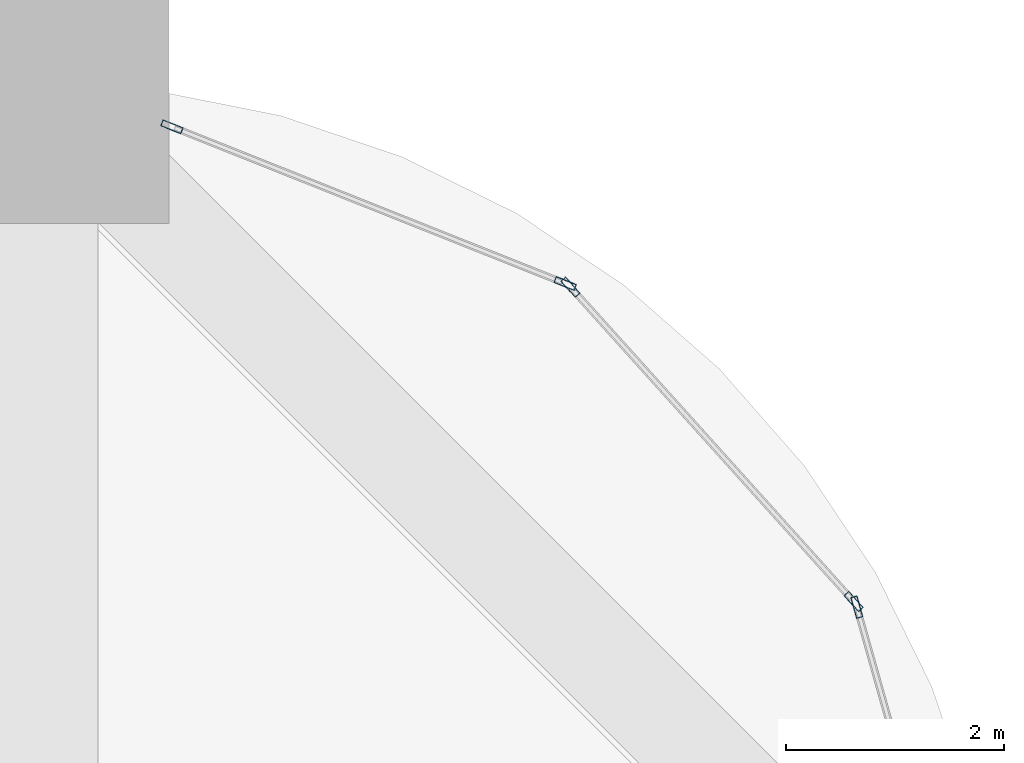
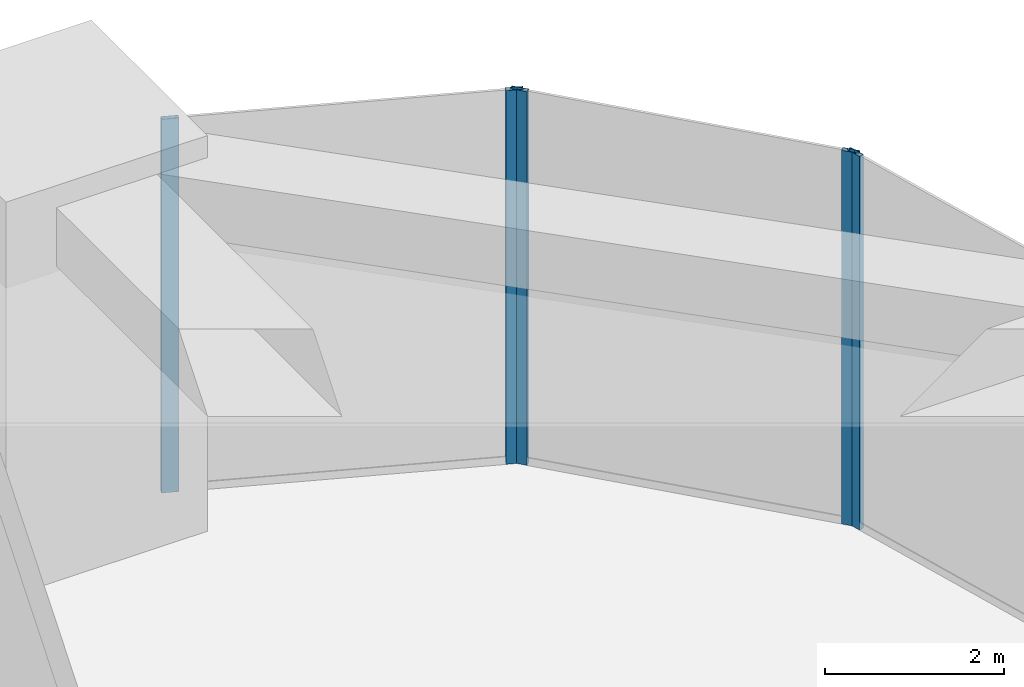
# One storey, part 39 of 45: 5 members, 3 elements without a shape of their own.
"""IFC4 building model written with IfcOpenShell, lengths in metres."""

from ifc_helpers import new_model, si_unit, direction, frame, origin, origin_2d, place, context, subcontext, project, spatial, hollow_rectangle, extrude, material, material_profile, profile_set, type_object, element, aggregate, save


model = new_model("IFC4")

# Units and contexts
model_context = context("Model", 3, precision=1e-05, world=origin(), true_north=direction((0.0, 1.0)))
body_context = subcontext(model_context, "Body", "Model", "MODEL_VIEW")
ifc_project = project(units=[si_unit("LENGTHUNIT", "METRE"), si_unit("AREAUNIT", "SQUARE_METRE"), si_unit("VOLUMEUNIT", "CUBIC_METRE"), si_unit("PLANEANGLEUNIT", "RADIAN"), si_unit("MASSUNIT", "GRAM", prefix="KILO")], contexts=[model_context])

# Site, building, storey
site_placement = place(None, origin())
site = spatial("IfcSite", under=ifc_project, at=site_placement, CompositionType="ELEMENT")
building_placement = place(site_placement, origin())
building = spatial("IfcBuilding", under=site, at=building_placement, Name="Zorevar Civic Tower", CompositionType="ELEMENT")
storey_placement = place(building_placement, frame((0.0, 0.0, 5.39990234375)))
storey = spatial("IfcBuildingStorey", under=building, at=storey_placement, Name="L01", CompositionType="ELEMENT", Elevation=5.39990234375)

# Curtain wall, member
ifc_material_1 = material(Name="Dark grey solar-control glass in black aluminium frame", Category="aluminium")
curtain_wall_type = type_object("IfcCurtainWallType", Name="Curtain wall CW1 podium", PredefinedType="NOTDEFINED", material=ifc_material_1)
curtain_wall_1_placement = place(storey_placement, origin())
curtain_wall_1 = element("IfcCurtainWall", 1, at=curtain_wall_1_placement, inside=storey, type_object=curtain_wall_type, Name="CW1 L01", PredefinedType="NOTDEFINED")
ifc_material_2 = material(Name="Aluminium, black anodised", Category="aluminium")
ifc_material_profile = material_profile(ifc_material_2, hollow_rectangle(XDim=0.06005859375, YDim=0.199951171875, WallThickness=0.00390625, at=origin_2d()), Name="AL 200x60x4")
ifc_profile_set = profile_set([ifc_material_profile], Name="Aluminium, black anodised")
member_type = type_object("IfcMemberType", Name="CW1 mullion AL 200x60x4", PredefinedType="MULLION", material=ifc_profile_set)
member_1_placement = place(storey_placement, frame((70.625244140625, 49.174560546875, 0.0), z_axis=(0.0, 0.0, 1.0), x_axis=(-0.962390725943, -0.271669082929, 0.0)))
member_1 = element("IfcMember", 2, at=member_1_placement, type_object=member_type, Name="CW1 mullion 2", PredefinedType="MULLION", context=body_context, shape_type="SweptSolid", body=[
    extrude(hollow_rectangle(XDim=0.06005859375, YDim=0.199951171875, WallThickness=0.00390625, at=origin_2d()), origin(), (0.0, 0.0, 1.0), 5.10009765625),
])
aggregate(curtain_wall_1, [member_1])

# Curtain wall, members
curtain_wall_2_placement = place(storey_placement, origin())
curtain_wall_2 = element("IfcCurtainWall", 3, at=curtain_wall_2_placement, inside=storey, type_object=curtain_wall_type, Name="CW1 L01", PredefinedType="NOTDEFINED")
member_2_placement = place(storey_placement, frame((70.596923828125, 49.225830078125, 0.0), z_axis=(0.0, 0.0, 1.0), x_axis=(-0.742899688263, -0.669402758568, 0.0)))
member_2 = element("IfcMember", 4, at=member_2_placement, type_object=member_type, Name="CW1 mullion 1", PredefinedType="MULLION", context=body_context, shape_type="SweptSolid", body=[
    extrude(hollow_rectangle(XDim=0.06005859375, YDim=0.199951171875, WallThickness=0.00390625, at=origin_2d()), origin(), (0.0, 0.0, 1.0), 5.10009765625),
])
member_3_placement = place(storey_placement, frame((67.991455078125, 52.1171875, 0.0), z_axis=(0.0, 0.0, 1.0), x_axis=(-0.742899688263, -0.669402758568, 0.0)))
member_3 = element("IfcMember", 5, at=member_3_placement, type_object=member_type, Name="CW1 mullion 2", PredefinedType="MULLION", context=body_context, shape_type="SweptSolid", body=[
    extrude(hollow_rectangle(XDim=0.06005859375, YDim=0.199951171875, WallThickness=0.00390625, at=origin_2d()), origin(), (0.0, 0.0, 1.0), 5.10009765625),
])
aggregate(curtain_wall_2, [member_2, member_3])

curtain_wall_3_placement = place(storey_placement, origin())
curtain_wall_3 = element("IfcCurtainWall", 6, at=curtain_wall_3_placement, inside=storey, type_object=curtain_wall_type, Name="CW1 L01", PredefinedType="NOTDEFINED")
member_4_placement = place(storey_placement, frame((67.943603515625, 52.150634765625, 0.0), z_axis=(0.0, 0.0, 1.0), x_axis=(-0.370110964218, -0.928987553289, 0.0)))
member_4 = element("IfcMember", 7, at=member_4_placement, type_object=member_type, Name="CW1 mullion 1", PredefinedType="MULLION", context=body_context, shape_type="SweptSolid", body=[
    extrude(hollow_rectangle(XDim=0.06005859375, YDim=0.199951171875, WallThickness=0.00390625, at=origin_2d()), origin(), (0.0, 0.0, 1.0), 5.10009765625),
])
member_5_placement = place(storey_placement, frame((64.327880859375, 53.591064453125, 0.0), z_axis=(0.0, 0.0, 1.0), x_axis=(-0.370110964218, -0.928987553289, 0.0)))
member_5 = element("IfcMember", 8, at=member_5_placement, type_object=member_type, Name="CW1 mullion 2", PredefinedType="MULLION", context=body_context, shape_type="SweptSolid", body=[
    extrude(hollow_rectangle(XDim=0.06005859375, YDim=0.199951171875, WallThickness=0.00390625, at=origin_2d()), origin(), (0.0, 0.0, 1.0), 5.10009765625),
])
aggregate(curtain_wall_3, [member_4, member_5])

save(model, "model.ifc")
